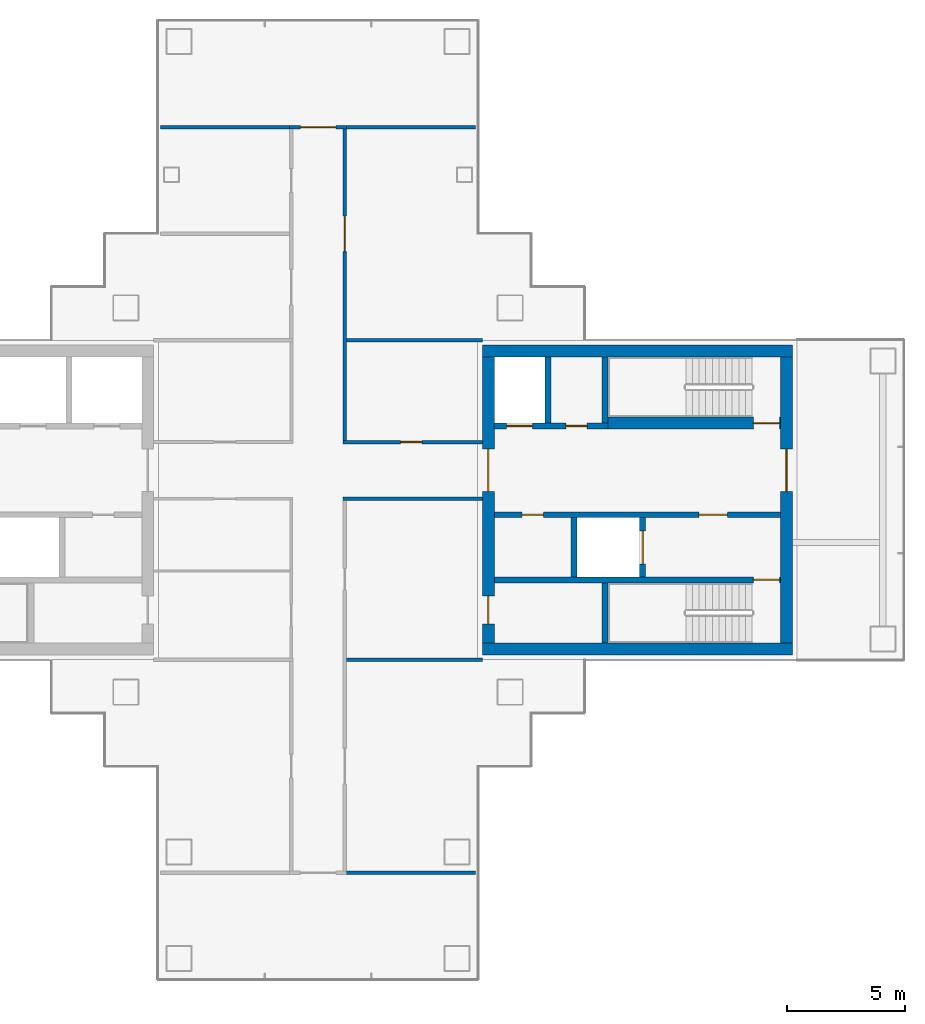
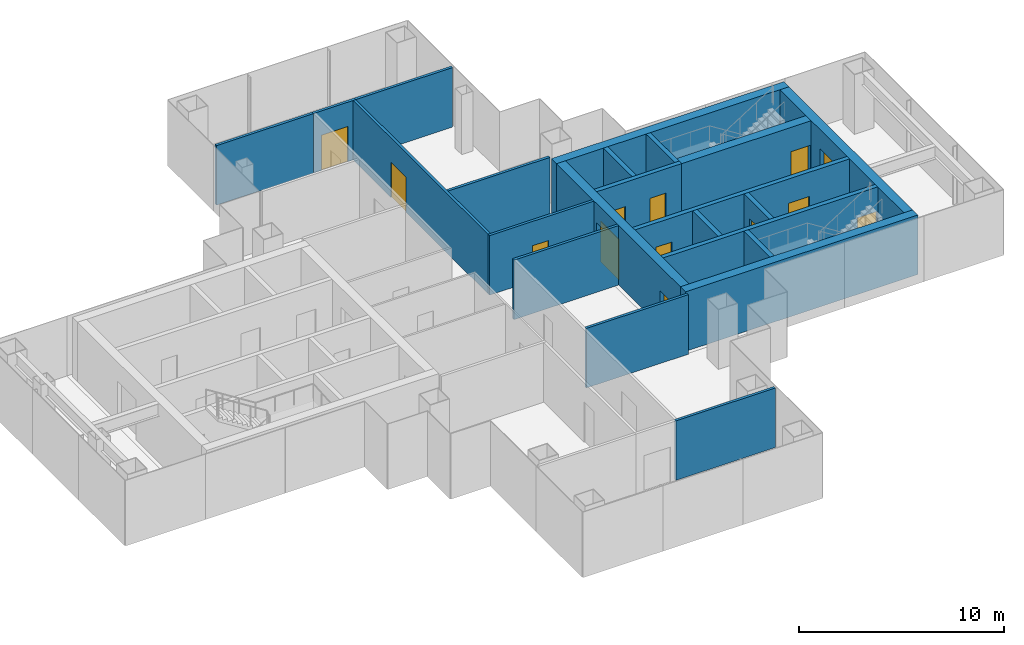
# One storey, part 12 of 16: 22 walls, 13 doors, 13 openings.
"""IFC4 building model written with IfcOpenShell, lengths in metres."""

from ifc_helpers import new_model, si_unit, direction, frame, frame_2d, origin, place, context, subcontext, project, spatial, rectangle, extrude, material, layer, layer_set, type_object, element, fill, save


model = new_model("IFC4")

# Units and contexts
model_context = context("Model", 3, precision=1e-05, world=origin(), true_north=direction((0.0, 1.0)))
body_context = subcontext(model_context, "Body", "Model", "MODEL_VIEW")
ifc_project = project(units=[si_unit("LENGTHUNIT", "METRE"), si_unit("AREAUNIT", "SQUARE_METRE"), si_unit("VOLUMEUNIT", "CUBIC_METRE"), si_unit("PLANEANGLEUNIT", "RADIAN"), si_unit("MASSUNIT", "GRAM", prefix="KILO")], contexts=[model_context])

# Site, building, storey
site_placement = place(None, origin())
site = spatial("IfcSite", under=ifc_project, at=site_placement, CompositionType="ELEMENT")
building_placement = place(site_placement, origin())
building = spatial("IfcBuilding", under=site, at=building_placement, Name="Shamsa Quay Exchange Towers", CompositionType="ELEMENT")
storey_placement = place(building_placement, frame((0.0, 0.0, 150.60009765625)))
storey = spatial("IfcBuildingStorey", under=building, at=storey_placement, Name="L35", CompositionType="ELEMENT", Elevation=150.60009765625)

# Walls
ifc_material_1 = material(Name="Concrete C60/75", Category="concrete")
ifc_layer_1 = layer(ifc_material_1, 0.5)
ifc_layer_set_1 = layer_set([ifc_layer_1], Name="CORE WALL 500 C60/75")
wall_type_1 = type_object("IfcWallType", Name="CORE WALL 500 C60/75", PredefinedType="SHEAR", material=ifc_layer_set_1)
for number, where, z_axis, x_axis, name in (
    (1, (53.800048828125, -6.300048828125, 0.0), (0.0, 0.0, 1.0), (-1.0, 0.0, 0.0), "Core wall T2B-R17-PS"),
    (2, (53.800048828125, 6.300048828125, 0.0), (0.0, 0.0, 1.0), (-1.0, 0.0, 0.0), "Core wall T2B-R17-PN"),
):
    element("IfcWall", number, at=place(storey_placement, frame(where, z_axis=z_axis, x_axis=x_axis)), inside=storey, type_object=wall_type_1, Name=name, PredefinedType="SHEAR", context=body_context, shape_type="SweptSolid", body=[
        extrude(rectangle(XDim=13.10009765625, YDim=0.5, at=frame_2d((6.550048828125, 0.0))), origin(), (0.0, 0.0, 1.0), 3.5498046875),
    ])

# Wall, opening, door
wall_1_placement = place(storey_placement, frame((53.550048828125, -6.050048828125, 0.0), z_axis=(0.0, 0.0, 1.0), x_axis=(0.0, 1.0, 0.0)))
wall_1 = element("IfcWall", 3, at=wall_1_placement, inside=storey, type_object=wall_type_1, Name="Core wall T2B-R17-PF", PredefinedType="SHEAR", context=body_context, shape_type="SweptSolid", body=[
    extrude(rectangle(XDim=12.10009765625, YDim=0.5, at=frame_2d((6.050048828125, 0.0))), origin(), (0.0, 0.0, 1.0), 3.5498046875),
])
opening_1_placement = place(wall_1_placement, frame((6.39990234375, 0.0, 0.0)))
opening_1 = element("IfcOpeningElement", 4, at=opening_1_placement, cuts=wall_1, Name="Opening T2B-R17-LBD01", PredefinedType="OPENING", context=body_context, shape_type="SweptSolid", body=[
    extrude(rectangle(XDim=1.800048828125, YDim=2.39990234375, at=frame_2d((0.89990234375, 1.199951171875))), frame((0.0, 0.260009765625, 0.0), z_axis=(0.0, -1.0, 0.0), x_axis=(1.0, 0.0, 0.0)), (0.0, 0.0, 1.0), 0.52001953125),
])
ifc_material_2 = material(Name="Steel, fire rated", Category="steel")
door_type_1 = type_object("IfcDoorType", Name="LIFT LOBBY DOOR PAIR 1800", OperationType="DOUBLE_DOOR_SINGLE_SWING", PredefinedType="DOOR", material=ifc_material_2)
door_1_placement = place(opening_1_placement, origin())
door_1 = element("IfcDoor", 5, at=door_1_placement, inside=storey, type_object=door_type_1, Name="T2B-R17-LBD01", OperationType="DOUBLE_DOOR_SINGLE_SWING", OverallHeight=2.39990234375, OverallWidth=1.800048828125, PredefinedType="DOOR", context=body_context, shape_type="SweptSolid", body=[
    extrude(rectangle(XDim=1.800048828125, YDim=2.39990234375, at=frame_2d((0.89990234375, 1.199951171875))), frame((0.0, 0.02490234375, 0.0), z_axis=(0.0, -1.0, 0.0), x_axis=(1.0, 0.0, 0.0)), (0.0, 0.0, 1.0), 0.050048828125),
])
fill(opening_1, door_1)

# Wall, openings, doors
wall_2_placement = place(storey_placement, frame((40.949951171875, -6.050048828125, 0.0), z_axis=(0.0, 0.0, 1.0), x_axis=(0.0, 1.0, 0.0)))
wall_2 = element("IfcWall", 6, at=wall_2_placement, inside=storey, type_object=wall_type_1, Name="Core wall T2B-R17-PB", PredefinedType="SHEAR", context=body_context, shape_type="SweptSolid", body=[
    extrude(rectangle(XDim=12.10009765625, YDim=0.5, at=frame_2d((6.050048828125, 0.0))), origin(), (0.0, 0.0, 1.0), 3.5498046875),
])
opening_2_placement = place(wall_2_placement, frame((0.800048828125, 0.0, 0.0)))
opening_2 = element("IfcOpeningElement", 7, at=opening_2_placement, cuts=wall_2, Name="Opening T2B-R17-RD02", PredefinedType="OPENING", context=body_context, shape_type="SweptSolid", body=[
    extrude(rectangle(XDim=1.199951171875, YDim=2.10009765625, at=frame_2d((0.60009765625, 1.050048828125))), frame((0.0, 0.260009765625, 0.0), z_axis=(0.0, -1.0, 0.0), x_axis=(1.0, 0.0, 0.0)), (0.0, 0.0, 1.0), 0.52001953125),
])
opening_3_placement = place(wall_2_placement, frame((6.39990234375, 0.0, 0.0)))
opening_3 = element("IfcOpeningElement", 8, at=opening_3_placement, cuts=wall_2, Name="Opening T2B-R17-LBD03", PredefinedType="OPENING", context=body_context, shape_type="SweptSolid", body=[
    extrude(rectangle(XDim=1.800048828125, YDim=2.39990234375, at=frame_2d((0.89990234375, 1.199951171875))), frame((0.0, 0.260009765625, 0.0), z_axis=(0.0, -1.0, 0.0), x_axis=(1.0, 0.0, 0.0)), (0.0, 0.0, 1.0), 0.52001953125),
])
door_2_placement = place(opening_3_placement, origin())
door_2 = element("IfcDoor", 9, at=door_2_placement, inside=storey, type_object=door_type_1, Name="T2B-R17-LBD03", OperationType="DOUBLE_DOOR_SINGLE_SWING", OverallHeight=2.39990234375, OverallWidth=1.800048828125, PredefinedType="DOOR", context=body_context, shape_type="SweptSolid", body=[
    extrude(rectangle(XDim=1.800048828125, YDim=2.39990234375, at=frame_2d((0.89990234375, 1.199951171875))), frame((0.0, 0.02490234375, 0.0), z_axis=(0.0, -1.0, 0.0), x_axis=(1.0, 0.0, 0.0)), (0.0, 0.0, 1.0), 0.050048828125),
])
fill(opening_3, door_2)
door_type_2 = type_object("IfcDoorType", Name="RISER ACCESS DOOR 1200", OperationType="SINGLE_SWING_LEFT", PredefinedType="DOOR", material=ifc_material_2)
door_3_placement = place(opening_2_placement, origin())
door_3 = element("IfcDoor", 10, at=door_3_placement, inside=storey, type_object=door_type_2, Name="T2B-R17-RD02", OperationType="SINGLE_SWING_LEFT", OverallHeight=2.10009765625, OverallWidth=1.199951171875, PredefinedType="DOOR", context=body_context, shape_type="SweptSolid", body=[
    extrude(rectangle(XDim=1.199951171875, YDim=2.10009765625, at=frame_2d((0.60009765625, 1.050048828125))), frame((0.0, 0.02490234375, 0.0), z_axis=(0.0, -1.0, 0.0), x_axis=(1.0, 0.0, 0.0)), (0.0, 0.0, 1.0), 0.050048828125),
])
fill(opening_2, door_3)

# Wall, opening, door
ifc_material_3 = material(Name="Gypsum board partition on metal studs")
ifc_layer_2 = layer(ifc_material_3, 0.14990234375)
ifc_layer_set_2 = layer_set([ifc_layer_2], Name="Partition 150 mm EI 60")
wall_type_2 = type_object("IfcWallType", Name="Partition 150 mm EI 60", PredefinedType="PARTITIONING", material=ifc_layer_set_2)
wall_3_placement = place(storey_placement, frame((34.800048828125, 2.4501953125, 0.0)))
wall_3 = element("IfcWall", 11, at=wall_3_placement, inside=storey, type_object=wall_type_2, Name="Partition T2-R17-W05", PredefinedType="PARTITIONING", context=body_context, shape_type="SweptSolid", body=[
    extrude(rectangle(XDim=5.89990234375, YDim=0.14990234375, at=frame_2d((2.949951171875, 0.0))), origin(), (0.0, 0.0, 1.0), 3.5498046875),
])
opening_4_placement = place(wall_3_placement, frame((2.4375, 0.0, 0.0)))
opening_4 = element("IfcOpeningElement", 12, at=opening_4_placement, cuts=wall_3, Name="Opening T2-R17-D01", PredefinedType="OPENING", context=body_context, shape_type="SweptSolid", body=[
    extrude(rectangle(XDim=0.89990234375, YDim=2.10009765625, at=frame_2d((0.449951171875, 1.050048828125))), frame((0.0, 0.0849609375, 0.0), z_axis=(0.0, -1.0, 0.0), x_axis=(1.0, 0.0, 0.0)), (0.0, 0.0, 1.0), 0.169921875),
])
ifc_material_4 = material(Name="Timber door leaf in a metal frame", Category="wood")
door_type_3 = type_object("IfcDoorType", Name="Door 900x2100 FD30S", OperationType="NOTDEFINED", PredefinedType="DOOR", material=ifc_material_4)
door_4_placement = place(opening_4_placement, origin())
door_4 = element("IfcDoor", 13, at=door_4_placement, inside=storey, type_object=door_type_3, Name="Door T2-R17-D01", OperationType="SINGLE_SWING_RIGHT", OverallHeight=2.10009765625, OverallWidth=0.89990234375, PredefinedType="DOOR", context=body_context, shape_type="SweptSolid", body=[
    extrude(rectangle(XDim=0.89990234375, YDim=2.10009765625, at=frame_2d((0.449951171875, 1.050048828125))), frame((0.0, 0.02490234375, 0.0), z_axis=(0.0, -1.0, 0.0), x_axis=(1.0, 0.0, 0.0)), (0.0, 0.0, 1.0), 0.050048828125),
])
fill(opening_4, door_4)

wall_4_placement = place(storey_placement, frame((34.875, 15.675048828125, 0.0), z_axis=(0.0, 0.0, 1.0), x_axis=(0.0, -1.0, 0.0)))
wall_4 = element("IfcWall", 14, at=wall_4_placement, inside=storey, type_object=wall_type_2, Name="Partition T2-R17-W07", PredefinedType="PARTITIONING", context=body_context, shape_type="SweptSolid", body=[
    extrude(rectangle(XDim=13.14990234375, YDim=0.14990234375, at=frame_2d((6.574951171875, 0.0))), origin(), (0.0, 0.0, 1.0), 3.5498046875),
])
opening_5_placement = place(wall_4_placement, frame((3.675048828125, 0.0, 0.0)))
opening_5 = element("IfcOpeningElement", 15, at=opening_5_placement, cuts=wall_4, Name="Opening T2-R17-D04", PredefinedType="OPENING", context=body_context, shape_type="SweptSolid", body=[
    extrude(rectangle(XDim=1.5, YDim=2.10009765625, at=frame_2d((0.75, 1.050048828125))), frame((0.0, 0.0849609375, 0.0), z_axis=(0.0, -1.0, 0.0), x_axis=(1.0, 0.0, 0.0)), (0.0, 0.0, 1.0), 0.169921875),
])
door_type_4 = type_object("IfcDoorType", Name="Door 1500x2100 FD30S pair", OperationType="NOTDEFINED", PredefinedType="DOOR", material=ifc_material_4)
door_5_placement = place(opening_5_placement, origin())
door_5 = element("IfcDoor", 16, at=door_5_placement, inside=storey, type_object=door_type_4, Name="Door T2-R17-D04", OperationType="DOUBLE_DOOR_SINGLE_SWING", OverallHeight=2.10009765625, OverallWidth=1.5, PredefinedType="DOOR", context=body_context, shape_type="SweptSolid", body=[
    extrude(rectangle(XDim=1.5, YDim=2.10009765625, at=frame_2d((0.75, 1.050048828125))), frame((0.0, 0.02490234375, 0.0), z_axis=(0.0, -1.0, 0.0), x_axis=(1.0, 0.0, 0.0)), (0.0, 0.0, 1.0), 0.050048828125),
])
fill(opening_5, door_5)

# Wall
wall_5_placement = place(storey_placement, frame((40.699951171875, 0.0498046875, 0.0), z_axis=(0.0, 0.0, 1.0), x_axis=(-1.0, 0.0, 0.0)))
element("IfcWall", 17, at=wall_5_placement, inside=storey, type_object=wall_type_2, Name="Partition T2-R17-W08", PredefinedType="PARTITIONING", context=body_context, shape_type="SweptSolid", body=[
    extrude(rectangle(XDim=5.89990234375, YDim=0.14990234375, at=frame_2d((2.949951171875, 0.0))), origin(), (0.0, 0.0, 1.0), 3.5498046875),
])

# Wall, opening, door
wall_6_placement = place(storey_placement, frame((32.550048828125, 15.75, 0.0)))
wall_6 = element("IfcWall", 18, at=wall_6_placement, inside=storey, type_object=wall_type_2, Name="Partition T2-R17-W11", PredefinedType="PARTITIONING", context=body_context, shape_type="SweptSolid", body=[
    extrude(rectangle(XDim=2.39990234375, YDim=0.14990234375, at=frame_2d((1.199951171875, 0.0))), origin(), (0.0, 0.0, 1.0), 3.5498046875),
])
opening_6_placement = place(wall_6_placement, frame((0.449951171875, 0.0, 0.0)))
opening_6 = element("IfcOpeningElement", 19, at=opening_6_placement, cuts=wall_6, Name="Opening T2-R17-D05", PredefinedType="OPENING", context=body_context, shape_type="SweptSolid", body=[
    extrude(rectangle(XDim=1.5, YDim=2.10009765625, at=frame_2d((0.75, 1.050048828125))), frame((0.0, 0.0849609375, 0.0), z_axis=(0.0, -1.0, 0.0), x_axis=(1.0, 0.0, 0.0)), (0.0, 0.0, 1.0), 0.169921875),
])
door_6_placement = place(opening_6_placement, origin())
door_6 = element("IfcDoor", 20, at=door_6_placement, inside=storey, type_object=door_type_4, Name="Door T2-R17-D05", OperationType="DOUBLE_DOOR_SINGLE_SWING", OverallHeight=2.10009765625, OverallWidth=1.5, PredefinedType="DOOR", context=body_context, shape_type="SweptSolid", body=[
    extrude(rectangle(XDim=1.5, YDim=2.10009765625, at=frame_2d((0.75, 1.050048828125))), frame((0.0, 0.02490234375, 0.0), z_axis=(0.0, -1.0, 0.0), x_axis=(1.0, 0.0, 0.0)), (0.0, 0.0, 1.0), 0.050048828125),
])
fill(opening_6, door_6)

# Walls
wall_7_placement = place(storey_placement, frame((40.699951171875, 6.75, 0.0), z_axis=(0.0, 0.0, 1.0), x_axis=(-1.0, 0.0, 0.0)))
element("IfcWall", 21, at=wall_7_placement, inside=storey, type_object=wall_type_2, Name="Partition T2-R17-W14", PredefinedType="PARTITIONING", context=body_context, shape_type="SweptSolid", body=[
    extrude(rectangle(XDim=5.75, YDim=0.14990234375, at=frame_2d((2.875, 0.0))), origin(), (0.0, 0.0, 1.0), 3.5498046875),
])
wall_8_placement = place(storey_placement, frame((34.949951171875, -6.75, 0.0)))
element("IfcWall", 22, at=wall_8_placement, inside=storey, type_object=wall_type_2, Name="Partition T2-R17-W16", PredefinedType="PARTITIONING", context=body_context, shape_type="SweptSolid", body=[
    extrude(rectangle(XDim=5.75, YDim=0.14990234375, at=frame_2d((2.875, 0.0))), origin(), (0.0, 0.0, 1.0), 3.5498046875),
])
for number, where, z_axis, x_axis, name in (
    (23, (32.699951171875, 15.75, 0.0), (0.0, 0.0, 1.0), (-1.0, 0.0, 0.0), "Partition T2-R17-W19"),
    (24, (40.405029296875, 15.75, 0.0), (0.0, 0.0, 1.0), (-1.0, 0.0, 0.0), "Partition T2-R17-W20"),
):
    element("IfcWall", number, at=place(storey_placement, frame(where, z_axis=z_axis, x_axis=x_axis)), inside=storey, type_object=wall_type_2, Name=name, PredefinedType="PARTITIONING", context=body_context, shape_type="SweptSolid", body=[
        extrude(rectangle(XDim=5.60498046875, YDim=0.14990234375, at=frame_2d((2.802490234375, 0.0))), origin(), (0.0, 0.0, 1.0), 3.5498046875),
    ])
wall_9_placement = place(storey_placement, frame((34.800048828125, -15.75, 0.0)))
element("IfcWall", 25, at=wall_9_placement, inside=storey, type_object=wall_type_2, Name="Partition T2-R17-W21", PredefinedType="PARTITIONING", context=body_context, shape_type="SweptSolid", body=[
    extrude(rectangle(XDim=5.60498046875, YDim=0.14990234375, at=frame_2d((2.802490234375, 0.0))), origin(), (0.0, 0.0, 1.0), 3.5498046875),
])

# Wall, opening, door
ifc_material_5 = material(Name="Concrete C50/60", Category="concrete")
ifc_layer_3 = layer(ifc_material_5, 0.25)
ifc_layer_set_3 = layer_set([ifc_layer_3], Name="SHAFT WALL 250 C50/60")
wall_type_3 = type_object("IfcWallType", Name="SHAFT WALL 250 C50/60", PredefinedType="SHEAR", material=ifc_layer_set_3)
wall_10_placement = place(storey_placement, frame((53.300048828125, -3.375, 0.0), z_axis=(0.0, 0.0, 1.0), x_axis=(-1.0, 0.0, 0.0)))
wall_10 = element("IfcWall", 26, at=wall_10_placement, inside=storey, type_object=wall_type_3, Name="Shaft wall T2B-R17-STL", PredefinedType="SHEAR", context=body_context, shape_type="SweptSolid", body=[
    extrude(rectangle(XDim=12.10009765625, YDim=0.25, at=frame_2d((6.050048828125, 0.0))), origin(), (0.0, 0.0, 1.0), 3.5498046875),
])
opening_7_placement = place(wall_10_placement, frame((0.050048828125, 0.0, 0.0)))
opening_7 = element("IfcOpeningElement", 27, at=opening_7_placement, cuts=wall_10, Name="Opening T2B-R17-SD04", PredefinedType="OPENING", context=body_context, shape_type="SweptSolid", body=[
    extrude(rectangle(XDim=1.10009765625, YDim=2.10009765625, at=frame_2d((0.550048828125, 1.050048828125))), frame((0.0, 0.135009765625, 0.0), z_axis=(0.0, -1.0, 0.0), x_axis=(1.0, 0.0, 0.0)), (0.0, 0.0, 1.0), 0.27001953125),
])
door_type_5 = type_object("IfcDoorType", Name="STAIR DOOR 1100", OperationType="SINGLE_SWING_LEFT", PredefinedType="DOOR", material=ifc_material_2)
door_7_placement = place(opening_7_placement, origin())
door_7 = element("IfcDoor", 28, at=door_7_placement, inside=storey, type_object=door_type_5, Name="T2B-R17-SD04", OperationType="SINGLE_SWING_LEFT", OverallHeight=2.10009765625, OverallWidth=1.10009765625, PredefinedType="DOOR", context=body_context, shape_type="SweptSolid", body=[
    extrude(rectangle(XDim=1.10009765625, YDim=2.10009765625, at=frame_2d((0.550048828125, 1.050048828125))), frame((0.0, 0.02490234375, 0.0), z_axis=(0.0, -1.0, 0.0), x_axis=(1.0, 0.0, 0.0)), (0.0, 0.0, 1.0), 0.050048828125),
])
fill(opening_7, door_7)

# Wall
wall_11_placement = place(storey_placement, frame((45.875, -6.050048828125, 0.0), z_axis=(0.0, 0.0, 1.0), x_axis=(0.0, 1.0, 0.0)))
element("IfcWall", 29, at=wall_11_placement, inside=storey, type_object=wall_type_3, Name="Shaft wall T2B-R17-STF", PredefinedType="SHEAR", context=body_context, shape_type="SweptSolid", body=[
    extrude(rectangle(XDim=2.550048828125, YDim=0.25, at=frame_2d((1.27490234375, 0.0))), origin(), (0.0, 0.0, 1.0), 3.5498046875),
])

# Wall, openings, doors
wall_12_placement = place(storey_placement, frame((53.300048828125, -0.625, 0.0), z_axis=(0.0, 0.0, 1.0), x_axis=(-1.0, 0.0, 0.0)))
wall_12 = element("IfcWall", 30, at=wall_12_placement, inside=storey, type_object=wall_type_3, Name="Shaft wall T2B-R17-B", PredefinedType="SHEAR", context=body_context, shape_type="SweptSolid", body=[
    extrude(rectangle(XDim=12.10009765625, YDim=0.25, at=frame_2d((6.050048828125, 0.0))), origin(), (0.0, 0.0, 1.0), 3.5498046875),
])
opening_8_placement = place(wall_12_placement, frame((2.25, 0.0, 0.0)))
opening_8 = element("IfcOpeningElement", 31, at=opening_8_placement, cuts=wall_12, Name="Opening T2B-R17-FD05", PredefinedType="OPENING", context=body_context, shape_type="SweptSolid", body=[
    extrude(rectangle(XDim=1.199951171875, YDim=2.10009765625, at=frame_2d((0.60009765625, 1.050048828125))), frame((0.0, 0.135009765625, 0.0), z_axis=(0.0, -1.0, 0.0), x_axis=(1.0, 0.0, 0.0)), (0.0, 0.0, 1.0), 0.27001953125),
])
opening_9_placement = place(wall_12_placement, frame((10.02490234375, 0.0, 0.0)))
opening_9 = element("IfcOpeningElement", 32, at=opening_9_placement, cuts=wall_12, Name="Opening T2B-R17-SV06", PredefinedType="OPENING", context=body_context, shape_type="SweptSolid", body=[
    extrude(rectangle(XDim=0.89990234375, YDim=2.10009765625, at=frame_2d((0.449951171875, 1.050048828125))), frame((0.0, 0.135009765625, 0.0), z_axis=(0.0, -1.0, 0.0), x_axis=(1.0, 0.0, 0.0)), (0.0, 0.0, 1.0), 0.27001953125),
])
door_type_6 = type_object("IfcDoorType", Name="FIRE SERVICE LOBBY DOOR 1200", OperationType="SINGLE_SWING_LEFT", PredefinedType="DOOR", material=ifc_material_2)
door_8_placement = place(opening_8_placement, origin())
door_8 = element("IfcDoor", 33, at=door_8_placement, inside=storey, type_object=door_type_6, Name="T2B-R17-FD05", OperationType="SINGLE_SWING_LEFT", OverallHeight=2.10009765625, OverallWidth=1.199951171875, PredefinedType="DOOR", context=body_context, shape_type="SweptSolid", body=[
    extrude(rectangle(XDim=1.199951171875, YDim=2.10009765625, at=frame_2d((0.60009765625, 1.050048828125))), frame((0.0, 0.02490234375, 0.0), z_axis=(0.0, -1.0, 0.0), x_axis=(1.0, 0.0, 0.0)), (0.0, 0.0, 1.0), 0.050048828125),
])
fill(opening_8, door_8)
door_type_7 = type_object("IfcDoorType", Name="SERVICE ROOM DOOR 900", OperationType="SINGLE_SWING_LEFT", PredefinedType="DOOR", material=ifc_material_2)
door_9_placement = place(opening_9_placement, origin())
door_9 = element("IfcDoor", 34, at=door_9_placement, inside=storey, type_object=door_type_7, Name="T2B-R17-SV06", OperationType="SINGLE_SWING_RIGHT", OverallHeight=2.10009765625, OverallWidth=0.89990234375, PredefinedType="DOOR", context=body_context, shape_type="SweptSolid", body=[
    extrude(rectangle(XDim=0.89990234375, YDim=2.10009765625, at=frame_2d((0.449951171875, 1.050048828125))), frame((0.0, 0.02490234375, 0.0), z_axis=(0.0, -1.0, 0.0), x_axis=(1.0, 0.0, 0.0)), (0.0, 0.0, 1.0), 0.050048828125),
])
fill(opening_9, door_9)

# Wall, opening, door
wall_13_placement = place(storey_placement, frame((47.47509765625, -3.25, 0.0), z_axis=(0.0, 0.0, 1.0), x_axis=(0.0, 1.0, 0.0)))
wall_13 = element("IfcWall", 35, at=wall_13_placement, inside=storey, type_object=wall_type_3, Name="Shaft wall T2B-R17-FFF", PredefinedType="SHEAR", context=body_context, shape_type="SweptSolid", body=[
    extrude(rectangle(XDim=2.5, YDim=0.25, at=frame_2d((1.25, 0.0))), origin(), (0.0, 0.0, 1.0), 3.5498046875),
])
opening_10_placement = place(wall_13_placement, frame((0.550048828125, 0.0, 0.0)))
opening_10 = element("IfcOpeningElement", 36, at=opening_10_placement, cuts=wall_13, Name="Opening T2B-R17-LDG07", PredefinedType="OPENING", context=body_context, shape_type="SweptSolid", body=[
    extrude(rectangle(XDim=1.39990234375, YDim=2.39990234375, at=frame_2d((0.699951171875, 1.199951171875))), frame((0.0, 0.135009765625, 0.0), z_axis=(0.0, -1.0, 0.0), x_axis=(1.0, 0.0, 0.0)), (0.0, 0.0, 1.0), 0.27001953125),
])
door_type_8 = type_object("IfcDoorType", Name="GOODS LIFT LANDING DOOR 1400", OperationType="SLIDING_TO_LEFT", PredefinedType="DOOR", material=ifc_material_2)
door_10_placement = place(opening_10_placement, origin())
door_10 = element("IfcDoor", 37, at=door_10_placement, inside=storey, type_object=door_type_8, Name="T2B-R17-LDG07", OperationType="SLIDING_TO_LEFT", OverallHeight=2.39990234375, OverallWidth=1.39990234375, PredefinedType="DOOR", context=body_context, shape_type="SweptSolid", body=[
    extrude(rectangle(XDim=1.39990234375, YDim=2.39990234375, at=frame_2d((0.699951171875, 1.199951171875))), frame((0.0, 0.02490234375, 0.0), z_axis=(0.0, -1.0, 0.0), x_axis=(1.0, 0.0, 0.0)), (0.0, 0.0, 1.0), 0.050048828125),
])
fill(opening_10, door_10)

# Wall
wall_14_placement = place(storey_placement, frame((44.574951171875, -3.25, 0.0), z_axis=(0.0, 0.0, 1.0), x_axis=(0.0, 1.0, 0.0)))
element("IfcWall", 38, at=wall_14_placement, inside=storey, type_object=wall_type_3, Name="Shaft wall T2B-R17-FFB", PredefinedType="SHEAR", context=body_context, shape_type="SweptSolid", body=[
    extrude(rectangle(XDim=2.5, YDim=0.25, at=frame_2d((1.25, 0.0))), origin(), (0.0, 0.0, 1.0), 3.5498046875),
])

# Wall, openings, doors
wall_15_placement = place(storey_placement, frame((41.199951171875, 3.125, 0.0)))
wall_15 = element("IfcWall", 39, at=wall_15_placement, inside=storey, type_object=wall_type_3, Name="Shaft wall T2B-R17-N2", PredefinedType="SHEAR", context=body_context, shape_type="SweptSolid", body=[
    extrude(rectangle(XDim=4.800048828125, YDim=0.25, at=frame_2d((2.39990234375, 0.0))), origin(), (0.0, 0.0, 1.0), 3.5498046875),
])
opening_11_placement = place(wall_15_placement, frame((0.52490234375, 0.0, 0.0)))
opening_11 = element("IfcOpeningElement", 40, at=opening_11_placement, cuts=wall_15, Name="Opening T2B-R17-LD09", PredefinedType="OPENING", context=body_context, shape_type="SweptSolid", body=[
    extrude(rectangle(XDim=1.10009765625, YDim=2.10009765625, at=frame_2d((0.550048828125, 1.050048828125))), frame((0.0, 0.135009765625, 0.0), z_axis=(0.0, -1.0, 0.0), x_axis=(1.0, 0.0, 0.0)), (0.0, 0.0, 1.0), 0.27001953125),
])
opening_12_placement = place(wall_15_placement, frame((3.02490234375, 0.0, 0.0)))
opening_12 = element("IfcOpeningElement", 41, at=opening_12_placement, cuts=wall_15, Name="Opening T2B-R17-SV10", PredefinedType="OPENING", context=body_context, shape_type="SweptSolid", body=[
    extrude(rectangle(XDim=0.89990234375, YDim=2.10009765625, at=frame_2d((0.449951171875, 1.050048828125))), frame((0.0, 0.135009765625, 0.0), z_axis=(0.0, -1.0, 0.0), x_axis=(1.0, 0.0, 0.0)), (0.0, 0.0, 1.0), 0.27001953125),
])
door_type_9 = type_object("IfcDoorType", Name="LANDING DOOR 1100", OperationType="SLIDING_TO_LEFT", PredefinedType="DOOR", material=ifc_material_2)
door_11_placement = place(opening_11_placement, origin())
door_11 = element("IfcDoor", 42, at=door_11_placement, inside=storey, type_object=door_type_9, Name="T2B-R17-LD09", OperationType="SLIDING_TO_LEFT", OverallHeight=2.10009765625, OverallWidth=1.10009765625, PredefinedType="DOOR", context=body_context, shape_type="SweptSolid", body=[
    extrude(rectangle(XDim=1.10009765625, YDim=2.10009765625, at=frame_2d((0.550048828125, 1.050048828125))), frame((0.0, 0.02490234375, 0.0), z_axis=(0.0, -1.0, 0.0), x_axis=(1.0, 0.0, 0.0)), (0.0, 0.0, 1.0), 0.050048828125),
])
fill(opening_11, door_11)
door_12_placement = place(opening_12_placement, origin())
door_12 = element("IfcDoor", 43, at=door_12_placement, inside=storey, type_object=door_type_7, Name="T2B-R17-SV10", OperationType="SINGLE_SWING_RIGHT", OverallHeight=2.10009765625, OverallWidth=0.89990234375, PredefinedType="DOOR", context=body_context, shape_type="SweptSolid", body=[
    extrude(rectangle(XDim=0.89990234375, YDim=2.10009765625, at=frame_2d((0.449951171875, 1.050048828125))), frame((0.0, 0.02490234375, 0.0), z_axis=(0.0, -1.0, 0.0), x_axis=(1.0, 0.0, 0.0)), (0.0, 0.0, 1.0), 0.050048828125),
])
fill(opening_12, door_12)

# Walls
for number, where, z_axis, x_axis, name in (
    (44, (45.875, 3.25, 0.0), (0.0, 0.0, 1.0), (0.0, 1.0, 0.0), "Shaft wall T2B-R17-STF2"),
    (45, (43.47509765625, 3.25, 0.0), (0.0, 0.0, 1.0), (0.0, 1.0, 0.0), "Shaft wall T2B-R17-D0"),
):
    element("IfcWall", number, at=place(storey_placement, frame(where, z_axis=z_axis, x_axis=x_axis)), inside=storey, type_object=wall_type_3, Name=name, PredefinedType="SHEAR", context=body_context, shape_type="SweptSolid", body=[
        extrude(rectangle(XDim=2.800048828125, YDim=0.25, at=frame_2d((1.39990234375, 0.0))), origin(), (0.0, 0.0, 1.0), 3.5498046875),
    ])

# Wall, opening, door
ifc_layer_4 = layer(ifc_material_5, 0.5)
ifc_layer_set_4 = layer_set([ifc_layer_4], Name="SHAFT WALL 500 C50/60")
wall_type_4 = type_object("IfcWallType", Name="SHAFT WALL 500 C50/60", PredefinedType="SHEAR", material=ifc_layer_set_4)
wall_16_placement = place(storey_placement, frame((46.0, 3.25, 0.0)))
wall_16 = element("IfcWall", 46, at=wall_16_placement, inside=storey, type_object=wall_type_4, Name="Shaft wall T2B-R17-N", PredefinedType="SHEAR", context=body_context, shape_type="SweptSolid", body=[
    extrude(rectangle(XDim=7.300048828125, YDim=0.5, at=frame_2d((3.64990234375, 0.0))), origin(), (0.0, 0.0, 1.0), 3.5498046875),
])
opening_13_placement = place(wall_16_placement, frame((6.14990234375, 0.0, 0.0)))
opening_13 = element("IfcOpeningElement", 47, at=opening_13_placement, cuts=wall_16, Name="Opening T2B-R17-SD08", PredefinedType="OPENING", context=body_context, shape_type="SweptSolid", body=[
    extrude(rectangle(XDim=1.10009765625, YDim=2.10009765625, at=frame_2d((0.550048828125, 1.050048828125))), frame((0.0, 0.260009765625, 0.0), z_axis=(0.0, -1.0, 0.0), x_axis=(1.0, 0.0, 0.0)), (0.0, 0.0, 1.0), 0.52001953125),
])
door_13_placement = place(opening_13_placement, origin())
door_13 = element("IfcDoor", 48, at=door_13_placement, inside=storey, type_object=door_type_5, Name="T2B-R17-SD08", OperationType="SINGLE_SWING_RIGHT", OverallHeight=2.10009765625, OverallWidth=1.10009765625, PredefinedType="DOOR", context=body_context, shape_type="SweptSolid", body=[
    extrude(rectangle(XDim=1.10009765625, YDim=2.10009765625, at=frame_2d((0.550048828125, 1.050048828125))), frame((0.0, 0.02490234375, 0.0), z_axis=(0.0, -1.0, 0.0), x_axis=(1.0, 0.0, 0.0)), (0.0, 0.0, 1.0), 0.050048828125),
])
fill(opening_13, door_13)

save(model, "model.ifc")
